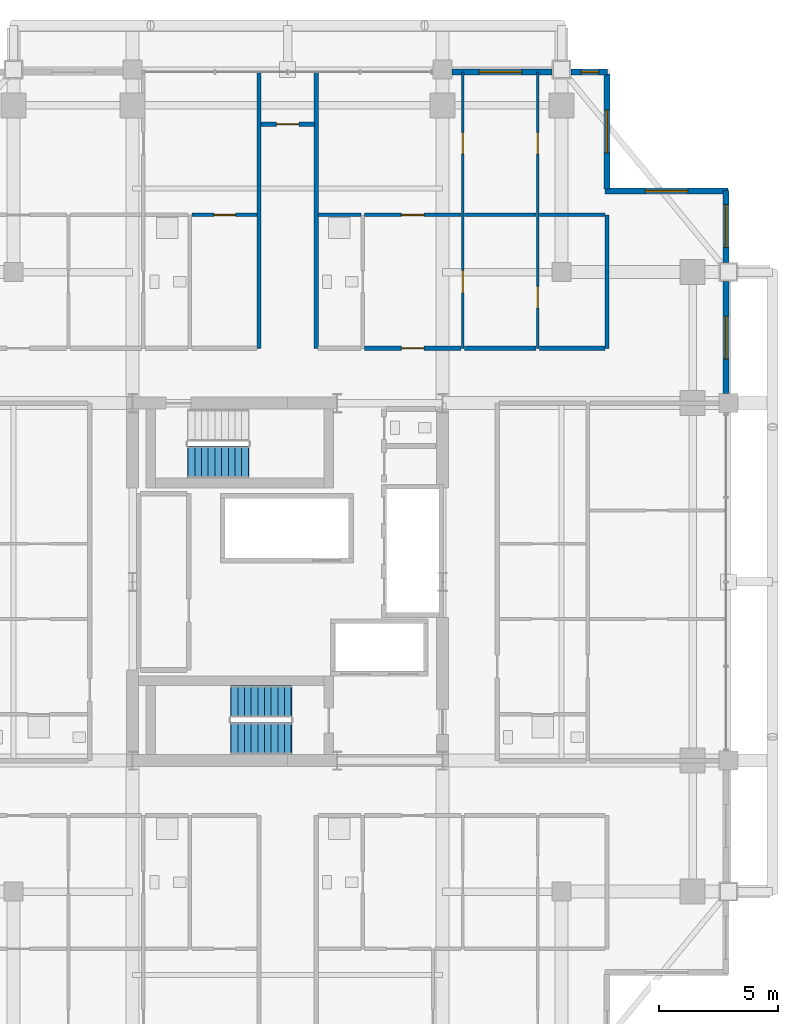
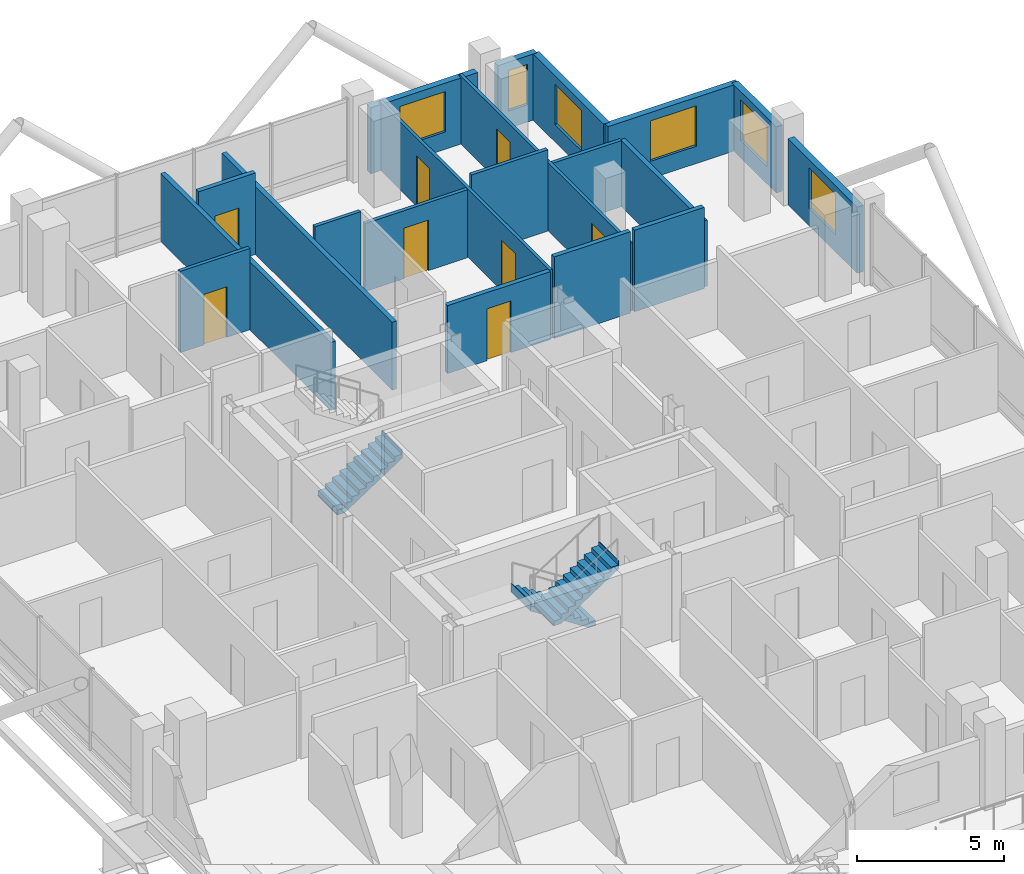
# One storey, part 20 of 23: 20 walls, 8 doors, 6 windows, 3 stair flights, 14 openings, 2 elements without a shape of their own.
"""IFC4 building model written with IfcOpenShell, lengths in metres."""

from ifc_helpers import new_model, si_unit, direction, frame, frame_2d, origin, place, context, subcontext, project, spatial, polyline, rectangle, outline, extrude, material, layer, layer_set, type_object, element, fill, aggregate, save


model = new_model("IFC4")

# Units and contexts
model_context = context("Model", 3, precision=1e-05, world=origin(), true_north=direction((0.0, 1.0)))
body_context = subcontext(model_context, "Body", "Model", "MODEL_VIEW")
ifc_project = project(units=[si_unit("LENGTHUNIT", "METRE"), si_unit("AREAUNIT", "SQUARE_METRE"), si_unit("VOLUMEUNIT", "CUBIC_METRE"), si_unit("PLANEANGLEUNIT", "RADIAN"), si_unit("MASSUNIT", "GRAM", prefix="KILO")], contexts=[model_context])

# Site, building, storey
site_placement = place(None, origin())
site = spatial("IfcSite", under=ifc_project, at=site_placement, CompositionType="ELEMENT")
building_placement = place(site_placement, origin())
building = spatial("IfcBuilding", under=site, at=building_placement, Name="Barlavira Tower and Art Museum", CompositionType="ELEMENT")
storey_placement = place(building_placement, frame((0.0, 0.0, 165.60009765625)))
storey = spatial("IfcBuildingStorey", under=building, at=storey_placement, Name="L42", CompositionType="ELEMENT", Elevation=165.60009765625)

# Wall, openings, doors
ifc_material_1 = material(Name="Gypsum acoustic stud partition", Category="gypsum")
ifc_layer_1 = layer(ifc_material_1, 0.1201171875, Name="Gypsum acoustic stud partition")
ifc_layer_set_1 = layer_set([ifc_layer_1], Name="Gypsum acoustic stud partition")
wall_type_1 = type_object("IfcWallType", Name="Apartment Internal Acoustic Partition 120", PredefinedType="PARTITIONING", material=ifc_layer_set_1)
wall_1_placement = place(storey_placement, frame((7.35009765625, 9.800048828125, 0.0), z_axis=(0.0, 0.0, 1.0), x_axis=(0.0, 1.0, 0.0)))
wall_1 = element("IfcWall", 1, at=wall_1_placement, inside=storey, type_object=wall_type_1, Name="L42 Partition Wall 22", PredefinedType="PARTITIONING", context=body_context, shape_type="SweptSolid", body=[
    extrude(rectangle(XDim=11.599853515625, YDim=0.1201171875, at=frame_2d((5.7998046875, 0.0))), origin(), (0.0, 0.0, 1.0), 2.825927734375),
])
opening_1_placement = place(wall_1_placement, frame((2.324951171875, 0.0, 0.0)))
opening_1 = element("IfcOpeningElement", 2, at=opening_1_placement, cuts=wall_1, Name="Opening D-02", PredefinedType="OPENING", context=body_context, shape_type="SweptSolid", body=[
    extrude(rectangle(XDim=0.949951171875, YDim=2.10009765625, at=frame_2d((0.47509765625, 1.050048828125))), frame((0.0, 0.070068359375, 0.0), z_axis=(0.0, -1.0, 0.0), x_axis=(1.0, 0.0, 0.0)), (0.0, 0.0, 1.0), 0.14013671875),
])
opening_2_placement = place(wall_1_placement, frame((8.14990234375, 0.0, 0.0)))
opening_2 = element("IfcOpeningElement", 3, at=opening_2_placement, cuts=wall_1, Name="Opening D-01", PredefinedType="OPENING", context=body_context, shape_type="SweptSolid", body=[
    extrude(rectangle(XDim=0.89990234375, YDim=2.10009765625, at=frame_2d((0.449951171875, 1.050048828125))), frame((0.0, 0.070068359375, 0.0), z_axis=(0.0, -1.0, 0.0), x_axis=(1.0, 0.0, 0.0)), (0.0, 0.0, 1.0), 0.14013671875),
])
ifc_material_2 = material(Name="Engineered coastal hardwood", Category="wood")
door_type_1 = type_object("IfcDoorType", Name="Internal Bedroom Timber Flush Door 900x2100", OperationType="NOTDEFINED", PredefinedType="DOOR", material=ifc_material_2)
door_1_placement = place(opening_2_placement, origin())
door_1 = element("IfcDoor", 4, at=door_1_placement, inside=storey, type_object=door_type_1, Name="Apartment NE1 Bedroom 1 Door", OperationType="SINGLE_SWING_LEFT", OverallHeight=2.10009765625, OverallWidth=0.89990234375, PredefinedType="DOOR", context=body_context, shape_type="SweptSolid", body=[
    extrude(rectangle(XDim=0.89990234375, YDim=2.10009765625, at=frame_2d((0.449951171875, 1.050048828125))), frame((0.0, 0.02490234375, 0.0), z_axis=(0.0, -1.0, 0.0), x_axis=(1.0, 0.0, 0.0)), (0.0, 0.0, 1.0), 0.050048828125),
])
fill(opening_2, door_1)
door_type_2 = type_object("IfcDoorType", Name="Living and Salon Glazed-Leaf Door 950x2100", OperationType="NOTDEFINED", PredefinedType="DOOR", material=ifc_material_2)
door_2_placement = place(opening_1_placement, origin())
door_2 = element("IfcDoor", 5, at=door_2_placement, inside=storey, type_object=door_type_2, Name="Apartment NE1 Kitchen Door", OperationType="SINGLE_SWING_RIGHT", OverallHeight=2.10009765625, OverallWidth=0.949951171875, PredefinedType="DOOR", context=body_context, shape_type="SweptSolid", body=[
    extrude(rectangle(XDim=0.949951171875, YDim=2.10009765625, at=frame_2d((0.47509765625, 1.050048828125))), frame((0.0, 0.02490234375, 0.0), z_axis=(0.0, -1.0, 0.0), x_axis=(1.0, 0.0, 0.0)), (0.0, 0.0, 1.0), 0.050048828125),
])
fill(opening_1, door_2)

wall_2_placement = place(storey_placement, frame((10.5, 9.800048828125, 0.0), z_axis=(0.0, 0.0, 1.0), x_axis=(0.0, 1.0, 0.0)))
wall_2 = element("IfcWall", 6, at=wall_2_placement, inside=storey, type_object=wall_type_1, Name="L42 Partition Wall 25", PredefinedType="PARTITIONING", context=body_context, shape_type="SweptSolid", body=[
    extrude(rectangle(XDim=11.599853515625, YDim=0.1201171875, at=frame_2d((5.7998046875, 0.0))), origin(), (0.0, 0.0, 1.0), 2.825927734375),
])
opening_3_placement = place(wall_2_placement, frame((1.694091796875, 0.0, 0.0)))
opening_3 = element("IfcOpeningElement", 7, at=opening_3_placement, cuts=wall_2, Name="Opening D-01", PredefinedType="OPENING", context=body_context, shape_type="SweptSolid", body=[
    extrude(rectangle(XDim=0.89990234375, YDim=2.10009765625, at=frame_2d((0.449951171875, 1.050048828125))), frame((0.0, 0.070068359375, 0.0), z_axis=(0.0, -1.0, 0.0), x_axis=(1.0, 0.0, 0.0)), (0.0, 0.0, 1.0), 0.14013671875),
])
opening_4_placement = place(wall_2_placement, frame((8.14990234375, 0.0, 0.0)))
opening_4 = element("IfcOpeningElement", 8, at=opening_4_placement, cuts=wall_2, Name="Opening D-01", PredefinedType="OPENING", context=body_context, shape_type="SweptSolid", body=[
    extrude(rectangle(XDim=0.89990234375, YDim=2.10009765625, at=frame_2d((0.449951171875, 1.050048828125))), frame((0.0, 0.070068359375, 0.0), z_axis=(0.0, -1.0, 0.0), x_axis=(1.0, 0.0, 0.0)), (0.0, 0.0, 1.0), 0.14013671875),
])
door_3_placement = place(opening_3_placement, origin())
door_3 = element("IfcDoor", 9, at=door_3_placement, inside=storey, type_object=door_type_1, Name="Apartment NE1 Walk-In Dressing Room Door", OperationType="SINGLE_SWING_LEFT", OverallHeight=2.10009765625, OverallWidth=0.89990234375, PredefinedType="DOOR", context=body_context, shape_type="SweptSolid", body=[
    extrude(rectangle(XDim=0.89990234375, YDim=2.10009765625, at=frame_2d((0.449951171875, 1.050048828125))), frame((0.0, 0.02490234375, 0.0), z_axis=(0.0, -1.0, 0.0), x_axis=(1.0, 0.0, 0.0)), (0.0, 0.0, 1.0), 0.050048828125),
])
fill(opening_3, door_3)
door_4_placement = place(opening_4_placement, origin())
door_4 = element("IfcDoor", 10, at=door_4_placement, inside=storey, type_object=door_type_1, Name="Apartment NE1 Sunroom Lounge 2 Door", OperationType="SINGLE_SWING_RIGHT", OverallHeight=2.10009765625, OverallWidth=0.89990234375, PredefinedType="DOOR", context=body_context, shape_type="SweptSolid", body=[
    extrude(rectangle(XDim=0.89990234375, YDim=2.10009765625, at=frame_2d((0.449951171875, 1.050048828125))), frame((0.0, 0.02490234375, 0.0), z_axis=(0.0, -1.0, 0.0), x_axis=(1.0, 0.0, 0.0)), (0.0, 0.0, 1.0), 0.050048828125),
])
fill(opening_4, door_4)

# Walls
ifc_layer_2 = layer(ifc_material_1, 0.179931640625, Name="Gypsum acoustic stud partition")
ifc_layer_set_2 = layer_set([ifc_layer_2], Name="Gypsum acoustic stud partition")
wall_type_2 = type_object("IfcWallType", Name="Inter-Tenancy Party Partition Wall 180", PredefinedType="PARTITIONING", material=ifc_layer_set_2)
for number, where, z_axis, x_axis, name in (
    (11, (-1.199951171875, 9.800048828125, 0.0), (0.0, 0.0, 1.0), (0.0, 1.0, 0.0), "L42 Partition Wall 14"),
    (12, (1.199951171875, 9.800048828125, 0.0), (0.0, 0.0, 1.0), (0.0, 1.0, 0.0), "L42 Partition Wall 16"),
):
    element("IfcWall", number, at=place(storey_placement, frame(where, z_axis=z_axis, x_axis=x_axis)), inside=storey, type_object=wall_type_2, Name=name, PredefinedType="PARTITIONING", context=body_context, shape_type="SweptSolid", body=[
        extrude(rectangle(XDim=11.599853515625, YDim=0.179931640625, at=frame_2d((5.7998046875, 0.0))), origin(), (0.0, 0.0, 1.0), 2.825927734375),
    ])
wall_3_placement = place(storey_placement, frame((13.39990234375, 9.800048828125, 0.0), z_axis=(0.0, 0.0, 1.0), x_axis=(0.0, 1.0, 0.0)))
element("IfcWall", 13, at=wall_3_placement, inside=storey, type_object=wall_type_2, Name="L42 Partition Wall 28", PredefinedType="PARTITIONING", context=body_context, shape_type="SweptSolid", body=[
    extrude(rectangle(XDim=5.599853515625, YDim=0.179931640625, at=frame_2d((2.7998046875, 0.0))), origin(), (0.0, 0.0, 1.0), 2.747802734375),
])

# Wall, opening, door
wall_4_placement = place(storey_placement, frame((3.22998046875, 9.800048828125, 0.0), z_axis=(0.0, 0.0, 1.0), x_axis=(1.0, 0.0, 0.0)))
wall_4 = element("IfcWall", 14, at=wall_4_placement, inside=storey, type_object=wall_type_2, Name="L42 Partition Wall 72", PredefinedType="PARTITIONING", context=body_context, shape_type="SweptSolid", body=[
    extrude(rectangle(XDim=4.0400390625, YDim=0.179931640625, at=frame_2d((2.02001953125, 0.0))), origin(), (0.0, 0.0, 1.0), 2.825927734375),
])
opening_5_placement = place(wall_4_placement, frame((1.544921875, 0.0, 0.0)))
opening_5 = element("IfcOpeningElement", 15, at=opening_5_placement, cuts=wall_4, Name="Opening FD-60", PredefinedType="OPENING", context=body_context, shape_type="SweptSolid", body=[
    extrude(rectangle(XDim=0.949951171875, YDim=2.14990234375, at=frame_2d((0.47509765625, 1.074951171875))), frame((0.0, 0.10009765625, 0.0), z_axis=(0.0, -1.0, 0.0), x_axis=(1.0, 0.0, 0.0)), (0.0, 0.0, 1.0), 0.199951171875),
])
ifc_material_3 = material(Name="Brushed stainless steel", Category="steel")
door_type_3 = type_object("IfcDoorType", Name="Apartment Entrance and Riser Fire Door 950x2150 FD60S", OperationType="NOTDEFINED", PredefinedType="DOOR", material=ifc_material_3)
door_5_placement = place(opening_5_placement, origin())
door_5 = element("IfcDoor", 16, at=door_5_placement, inside=storey, type_object=door_type_3, Name="Apartment Entrance Hall NE1 Door", OperationType="SINGLE_SWING_LEFT", OverallHeight=2.14990234375, OverallWidth=0.949951171875, PredefinedType="DOOR", context=body_context, shape_type="SweptSolid", body=[
    extrude(rectangle(XDim=0.949951171875, YDim=2.14990234375, at=frame_2d((0.47509765625, 1.074951171875))), frame((0.0, 0.02490234375, 0.0), z_axis=(0.0, -1.0, 0.0), x_axis=(1.0, 0.0, 0.0)), (0.0, 0.0, 1.0), 0.050048828125),
])
fill(opening_5, door_5)

# Walls
wall_5_placement = place(storey_placement, frame((7.429931640625, 9.800048828125, 0.0), z_axis=(0.0, 0.0, 1.0), x_axis=(1.0, 0.0, 0.0)))
element("IfcWall", 17, at=wall_5_placement, inside=storey, type_object=wall_type_2, Name="L42 Partition Wall 73", PredefinedType="PARTITIONING", context=body_context, shape_type="SweptSolid", body=[
    extrude(rectangle(XDim=2.989990234375, YDim=0.179931640625, at=frame_2d((1.4951171875, 0.0))), origin(), (0.0, 0.0, 1.0), 3.3798828125),
])
wall_6_placement = place(storey_placement, frame((10.580078125, 9.800048828125, 0.0), z_axis=(0.0, 0.0, 1.0), x_axis=(1.0, 0.0, 0.0)))
element("IfcWall", 18, at=wall_6_placement, inside=storey, type_object=wall_type_2, Name="L42 Partition Wall 74", PredefinedType="PARTITIONING", context=body_context, shape_type="SweptSolid", body=[
    extrude(rectangle(XDim=2.739990234375, YDim=0.179931640625, at=frame_2d((1.3701171875, 0.0))), origin(), (0.0, 0.0, 1.0), 3.3798828125),
])

# Wall, opening, door
wall_7_placement = place(storey_placement, frame((-1.1201171875, 19.199951171875, 0.0), z_axis=(0.0, 0.0, 1.0), x_axis=(1.0, 0.0, 0.0)))
wall_7 = element("IfcWall", 19, at=wall_7_placement, inside=storey, type_object=wall_type_2, Name="L42 Partition Wall 83", PredefinedType="PARTITIONING", context=body_context, shape_type="SweptSolid", body=[
    extrude(rectangle(XDim=2.240234375, YDim=0.179931640625, at=frame_2d((1.1201171875, 0.0))), origin(), (0.0, 0.0, 1.0), 3.3798828125),
])
opening_6_placement = place(wall_7_placement, frame((0.64501953125, 0.0, 0.0)))
opening_6 = element("IfcOpeningElement", 20, at=opening_6_placement, cuts=wall_7, Name="Opening FD-60", PredefinedType="OPENING", context=body_context, shape_type="SweptSolid", body=[
    extrude(rectangle(XDim=0.949951171875, YDim=2.14990234375, at=frame_2d((0.47509765625, 1.074951171875))), frame((0.0, 0.10009765625, 0.0), z_axis=(0.0, -1.0, 0.0), x_axis=(1.0, 0.0, 0.0)), (0.0, 0.0, 1.0), 0.199951171875),
])
door_6_placement = place(opening_6_placement, origin())
door_6 = element("IfcDoor", 21, at=door_6_placement, inside=storey, type_object=door_type_3, Name="L42 North Ocean Alcove Door", OperationType="SINGLE_SWING_LEFT", OverallHeight=2.14990234375, OverallWidth=0.949951171875, PredefinedType="DOOR", context=body_context, shape_type="SweptSolid", body=[
    extrude(rectangle(XDim=0.949951171875, YDim=2.14990234375, at=frame_2d((0.47509765625, 1.074951171875))), frame((0.0, 0.02490234375, 0.0), z_axis=(0.0, -1.0, 0.0), x_axis=(1.0, 0.0, 0.0)), (0.0, 0.0, 1.0), 0.050048828125),
])
fill(opening_6, door_6)

ifc_layer_3 = layer(ifc_material_1, 0.139892578125, Name="Gypsum acoustic stud partition")
ifc_layer_set_3 = layer_set([ifc_layer_3], Name="Gypsum acoustic stud partition")
wall_type_3 = type_object("IfcWallType", Name="Moisture-Resistant Bathroom Partition 140", PredefinedType="PARTITIONING", material=ifc_layer_set_3)
wall_8_placement = place(storey_placement, frame((-4.02001953125, 15.39990234375, 0.0), z_axis=(0.0, 0.0, 1.0), x_axis=(1.0, 0.0, 0.0)))
wall_8 = element("IfcWall", 22, at=wall_8_placement, inside=storey, type_object=wall_type_3, Name="L42 Partition Wall 78", PredefinedType="PARTITIONING", context=body_context, shape_type="SweptSolid", body=[
    extrude(rectangle(XDim=2.739990234375, YDim=0.139892578125, at=frame_2d((1.3701171875, 0.0))), origin(), (0.0, 0.0, 1.0), 3.3798828125),
])
opening_7_placement = place(wall_8_placement, frame((0.929931640625, 0.0, 0.0)))
opening_7 = element("IfcOpeningElement", 23, at=opening_7_placement, cuts=wall_8, Name="Opening D-01", PredefinedType="OPENING", context=body_context, shape_type="SweptSolid", body=[
    extrude(rectangle(XDim=0.89990234375, YDim=2.10009765625, at=frame_2d((0.449951171875, 1.050048828125))), frame((0.0, 0.080078125, 0.0), z_axis=(0.0, -1.0, 0.0), x_axis=(1.0, 0.0, 0.0)), (0.0, 0.0, 1.0), 0.159912109375),
])
door_7_placement = place(opening_7_placement, origin())
door_7 = element("IfcDoor", 24, at=door_7_placement, inside=storey, type_object=door_type_1, Name="Apartment NW1 Walk-In Dressing Room Door", OperationType="SINGLE_SWING_LEFT", OverallHeight=2.10009765625, OverallWidth=0.89990234375, PredefinedType="DOOR", context=body_context, shape_type="SweptSolid", body=[
    extrude(rectangle(XDim=0.89990234375, YDim=2.10009765625, at=frame_2d((0.449951171875, 1.050048828125))), frame((0.0, 0.02490234375, 0.0), z_axis=(0.0, -1.0, 0.0), x_axis=(1.0, 0.0, 0.0)), (0.0, 0.0, 1.0), 0.050048828125),
])
fill(opening_7, door_7)

# Wall
wall_9_placement = place(storey_placement, frame((1.280029296875, 15.39990234375, 0.0), z_axis=(0.0, 0.0, 1.0), x_axis=(1.0, 0.0, 0.0)))
element("IfcWall", 25, at=wall_9_placement, inside=storey, type_object=wall_type_3, Name="L42 Partition Wall 79", PredefinedType="PARTITIONING", context=body_context, shape_type="SweptSolid", body=[
    extrude(rectangle(XDim=1.7900390625, YDim=0.139892578125, at=frame_2d((0.89501953125, 0.0))), origin(), (0.0, 0.0, 1.0), 3.3798828125),
])

# Wall, opening, door
wall_10_placement = place(storey_placement, frame((3.22998046875, 15.39990234375, 0.0), z_axis=(0.0, 0.0, 1.0), x_axis=(1.0, 0.0, 0.0)))
wall_10 = element("IfcWall", 26, at=wall_10_placement, inside=storey, type_object=wall_type_3, Name="L42 Partition Wall 80", PredefinedType="PARTITIONING", context=body_context, shape_type="SweptSolid", body=[
    extrude(rectangle(XDim=4.0400390625, YDim=0.139892578125, at=frame_2d((2.02001953125, 0.0))), origin(), (0.0, 0.0, 1.0), 2.825927734375),
])
opening_8_placement = place(wall_10_placement, frame((1.544921875, 0.0, 0.0)))
opening_8 = element("IfcOpeningElement", 27, at=opening_8_placement, cuts=wall_10, Name="Opening D-02", PredefinedType="OPENING", context=body_context, shape_type="SweptSolid", body=[
    extrude(rectangle(XDim=0.949951171875, YDim=2.10009765625, at=frame_2d((0.47509765625, 1.050048828125))), frame((0.0, 0.080078125, 0.0), z_axis=(0.0, -1.0, 0.0), x_axis=(1.0, 0.0, 0.0)), (0.0, 0.0, 1.0), 0.159912109375),
])
door_8_placement = place(opening_8_placement, origin())
door_8 = element("IfcDoor", 28, at=door_8_placement, inside=storey, type_object=door_type_2, Name="Apartment NE1 Living Lounge Door", OperationType="SINGLE_SWING_RIGHT", OverallHeight=2.10009765625, OverallWidth=0.949951171875, PredefinedType="DOOR", context=body_context, shape_type="SweptSolid", body=[
    extrude(rectangle(XDim=0.949951171875, YDim=2.10009765625, at=frame_2d((0.47509765625, 1.050048828125))), frame((0.0, 0.02490234375, 0.0), z_axis=(0.0, -1.0, 0.0), x_axis=(1.0, 0.0, 0.0)), (0.0, 0.0, 1.0), 0.050048828125),
])
fill(opening_8, door_8)

# Walls
wall_11_placement = place(storey_placement, frame((7.429931640625, 15.39990234375, 0.0), z_axis=(0.0, 0.0, 1.0), x_axis=(1.0, 0.0, 0.0)))
element("IfcWall", 29, at=wall_11_placement, inside=storey, type_object=wall_type_3, Name="L42 Partition Wall 81", PredefinedType="PARTITIONING", context=body_context, shape_type="SweptSolid", body=[
    extrude(rectangle(XDim=2.989990234375, YDim=0.139892578125, at=frame_2d((1.4951171875, 0.0))), origin(), (0.0, 0.0, 1.0), 3.3798828125),
])
wall_12_placement = place(storey_placement, frame((10.580078125, 15.39990234375, 0.0), z_axis=(0.0, 0.0, 1.0), x_axis=(1.0, 0.0, 0.0)))
element("IfcWall", 30, at=wall_12_placement, inside=storey, type_object=wall_type_3, Name="L42 Partition Wall 82", PredefinedType="PARTITIONING", context=body_context, shape_type="SweptSolid", body=[
    extrude(rectangle(XDim=2.739990234375, YDim=0.139892578125, at=frame_2d((1.3701171875, 0.0))), origin(), (0.0, 0.0, 1.0), 2.747802734375),
])

# Wall, opening, window
ifc_material_4 = material(Name="Precast concrete C40", Category="concrete")
ifc_layer_4 = layer(ifc_material_4, 0.25, Name="Precast concrete C40")
ifc_layer_set_4 = layer_set([ifc_layer_4], Name="Precast concrete C40")
wall_type_4 = type_object("IfcWallType", Name="Notched Corner Spandrel Wall 250 Precast Concrete C40", PredefinedType="SOLIDWALL", material=ifc_layer_set_4)
wall_13_placement = place(storey_placement, frame((13.425048828125, 21.39990234375, 0.0), z_axis=(0.0, 0.0, 1.0), x_axis=(-1.0, 0.0, 0.0)))
wall_13 = element("IfcWall", 31, at=wall_13_placement, inside=storey, type_object=wall_type_4, Name="L42 Coastal Facade Pier Wall CW3-L42-N-1", PredefinedType="SOLIDWALL", context=body_context, shape_type="SweptSolid", body=[
    extrude(rectangle(XDim=1.530029296875, YDim=0.25, at=frame_2d((0.76513671875, 0.0))), origin(), (0.0, 0.0, 1.0), 2.747802734375),
])
opening_9_placement = place(wall_13_placement, frame((0.363037109375, 0.0, 0.719970703125)))
opening_9 = element("IfcOpeningElement", 32, at=opening_9_placement, cuts=wall_13, Name="Opening WN-06", PredefinedType="OPENING", context=body_context, shape_type="SweptSolid", body=[
    extrude(rectangle(XDim=0.760009765625, YDim=1.679931640625, at=frame_2d((0.3798828125, 0.83984375))), frame((0.0, 0.135009765625, 0.0), z_axis=(0.0, -1.0, 0.0), x_axis=(1.0, 0.0, 0.0)), (0.0, 0.0, 1.0), 0.27001953125),
])
ifc_material_5 = material(Name="Low-iron coastal laminated glass", Category="glass")
window_type_1 = type_object("IfcWindowType", Name="Recessed Narrow Pier Window 760x1680", PartitioningType="SINGLE_PANEL", PredefinedType="WINDOW", material=ifc_material_5)
window_1_placement = place(opening_9_placement, origin())
window_1 = element("IfcWindow", 33, at=window_1_placement, inside=storey, type_object=window_type_1, Name="L42 Punched Facade Window EWP-CW3-L42-N-1-1", OverallHeight=1.679931640625, OverallWidth=0.760009765625, PartitioningType="SINGLE_PANEL", PredefinedType="WINDOW", context=body_context, shape_type="SweptSolid", body=[
    extrude(rectangle(XDim=0.760009765625, YDim=1.679931640625, at=frame_2d((0.3798828125, 0.83984375))), frame((0.0, 0.030029296875, 0.0), z_axis=(0.0, -1.0, 0.0), x_axis=(1.0, 0.0, 0.0)), (0.0, 0.0, 1.0), 0.06005859375),
])
fill(opening_9, window_1)

wall_14_placement = place(storey_placement, frame((11.10498046875, 21.39990234375, 0.0), z_axis=(0.0, 0.0, 1.0), x_axis=(-1.0, 0.0, 0.0)))
wall_14 = element("IfcWall", 34, at=wall_14_placement, inside=storey, type_object=wall_type_4, Name="L42 Coastal Facade Pier Wall CW3-L42-N-2", PredefinedType="SOLIDWALL", context=body_context, shape_type="SweptSolid", body=[
    extrude(rectangle(XDim=4.2099609375, YDim=0.25, at=frame_2d((2.10498046875, 0.0))), origin(), (0.0, 0.0, 1.0), 2.747802734375),
])
opening_10_placement = place(wall_14_placement, frame((1.27001953125, 0.0, 0.719970703125)))
opening_10 = element("IfcOpeningElement", 35, at=opening_10_placement, cuts=wall_14, Name="Opening WN-01", PredefinedType="OPENING", context=body_context, shape_type="SweptSolid", body=[
    extrude(rectangle(XDim=1.800048828125, YDim=1.679931640625, at=frame_2d((0.89990234375, 0.83984375))), frame((0.0, 0.135009765625, 0.0), z_axis=(0.0, -1.0, 0.0), x_axis=(1.0, 0.0, 0.0)), (0.0, 0.0, 1.0), 0.27001953125),
])
window_type_2 = type_object("IfcWindowType", Name="Recessed Notch Corner Punch Window 1800x1680", PartitioningType="SINGLE_PANEL", PredefinedType="WINDOW", material=ifc_material_5)
window_2_placement = place(opening_10_placement, origin())
window_2 = element("IfcWindow", 36, at=window_2_placement, inside=storey, type_object=window_type_2, Name="L42 Punched Facade Window EWP-CW3-L42-N-2-1", OverallHeight=1.679931640625, OverallWidth=1.800048828125, PartitioningType="SINGLE_PANEL", PredefinedType="WINDOW", context=body_context, shape_type="SweptSolid", body=[
    extrude(rectangle(XDim=1.800048828125, YDim=1.679931640625, at=frame_2d((0.89990234375, 0.83984375))), frame((0.0, 0.030029296875, 0.0), z_axis=(0.0, -1.0, 0.0), x_axis=(1.0, 0.0, 0.0)), (0.0, 0.0, 1.0), 0.06005859375),
])
fill(opening_10, window_2)

wall_15_placement = place(storey_placement, frame((18.39990234375, 7.89501953125, 0.0), z_axis=(0.0, 0.0, 1.0), x_axis=(0.0, 1.0, 0.0)))
wall_15 = element("IfcWall", 37, at=wall_15_placement, inside=storey, type_object=wall_type_4, Name="L42 Coastal Facade Pier Wall CW3-L42-E-4", PredefinedType="SOLIDWALL", context=body_context, shape_type="SweptSolid", body=[
    extrude(rectangle(XDim=4.7099609375, YDim=0.25, at=frame_2d((2.35498046875, 0.0))), origin(), (0.0, 0.0, 1.0), 2.747802734375),
])
opening_11_placement = place(wall_15_placement, frame((1.455078125, 0.0, 0.719970703125)))
opening_11 = element("IfcOpeningElement", 38, at=opening_11_placement, cuts=wall_15, Name="Opening WN-01", PredefinedType="OPENING", context=body_context, shape_type="SweptSolid", body=[
    extrude(rectangle(XDim=1.800048828125, YDim=1.679931640625, at=frame_2d((0.89990234375, 0.83984375))), frame((0.0, 0.135009765625, 0.0), z_axis=(0.0, -1.0, 0.0), x_axis=(1.0, 0.0, 0.0)), (0.0, 0.0, 1.0), 0.27001953125),
])
window_3_placement = place(opening_11_placement, origin())
window_3 = element("IfcWindow", 39, at=window_3_placement, inside=storey, type_object=window_type_2, Name="L42 Punched Facade Window EWP-CW3-L42-E-4-1", OverallHeight=1.679931640625, OverallWidth=1.800048828125, PartitioningType="SINGLE_PANEL", PredefinedType="WINDOW", context=body_context, shape_type="SweptSolid", body=[
    extrude(rectangle(XDim=1.800048828125, YDim=1.679931640625, at=frame_2d((0.89990234375, 0.83984375))), frame((0.0, 0.030029296875, 0.0), z_axis=(0.0, -1.0, 0.0), x_axis=(1.0, 0.0, 0.0)), (0.0, 0.0, 1.0), 0.06005859375),
])
fill(opening_11, window_3)

wall_16_placement = place(storey_placement, frame((18.39990234375, 13.39501953125, 0.0), z_axis=(0.0, 0.0, 1.0), x_axis=(0.0, 1.0, 0.0)))
wall_16 = element("IfcWall", 40, at=wall_16_placement, inside=storey, type_object=wall_type_4, Name="L42 Coastal Facade Pier Wall CW3-L42-E-5", PredefinedType="SOLIDWALL", context=body_context, shape_type="SweptSolid", body=[
    extrude(rectangle(XDim=3.030029296875, YDim=0.25, at=frame_2d((1.51513671875, 0.0))), origin(), (0.0, 0.0, 1.0), 2.747802734375),
])
opening_12_placement = place(wall_16_placement, frame((0.637939453125, 0.0, 0.719970703125)))
opening_12 = element("IfcOpeningElement", 41, at=opening_12_placement, cuts=wall_16, Name="Opening WN-01", PredefinedType="OPENING", context=body_context, shape_type="SweptSolid", body=[
    extrude(rectangle(XDim=1.800048828125, YDim=1.679931640625, at=frame_2d((0.89990234375, 0.83984375))), frame((0.0, 0.135009765625, 0.0), z_axis=(0.0, -1.0, 0.0), x_axis=(1.0, 0.0, 0.0)), (0.0, 0.0, 1.0), 0.27001953125),
])
window_4_placement = place(opening_12_placement, origin())
window_4 = element("IfcWindow", 42, at=window_4_placement, inside=storey, type_object=window_type_2, Name="L42 Punched Facade Window EWP-CW3-L42-E-5-1", OverallHeight=1.679931640625, OverallWidth=1.800048828125, PartitioningType="SINGLE_PANEL", PredefinedType="WINDOW", context=body_context, shape_type="SweptSolid", body=[
    extrude(rectangle(XDim=1.800048828125, YDim=1.679931640625, at=frame_2d((0.89990234375, 0.83984375))), frame((0.0, 0.030029296875, 0.0), z_axis=(0.0, -1.0, 0.0), x_axis=(1.0, 0.0, 0.0)), (0.0, 0.0, 1.0), 0.06005859375),
])
fill(opening_12, window_4)

wall_17_placement = place(storey_placement, frame((18.47998046875, 16.39990234375, 0.0), z_axis=(0.0, 0.0, 1.0), x_axis=(-1.0, 0.0, 0.0)))
wall_17 = element("IfcWall", 43, at=wall_17_placement, inside=storey, type_object=wall_type_4, Name="L42 Notch Corner Wall NE1", PredefinedType="SOLIDWALL", context=body_context, shape_type="SweptSolid", body=[
    extrude(rectangle(XDim=5.159912109375, YDim=0.25, at=frame_2d((2.580078125, 0.0))), origin(), (0.0, 0.0, 1.0), 2.747802734375),
])
opening_13_placement = place(wall_17_placement, frame((1.679931640625, 0.0, 0.719970703125)))
opening_13 = element("IfcOpeningElement", 44, at=opening_13_placement, cuts=wall_17, Name="Opening WN-01", PredefinedType="OPENING", context=body_context, shape_type="SweptSolid", body=[
    extrude(rectangle(XDim=1.800048828125, YDim=1.679931640625, at=frame_2d((0.89990234375, 0.83984375))), frame((0.0, 0.135009765625, 0.0), z_axis=(0.0, -1.0, 0.0), x_axis=(1.0, 0.0, 0.0)), (0.0, 0.0, 1.0), 0.27001953125),
])
window_5_placement = place(opening_13_placement, origin())
window_5 = element("IfcWindow", 45, at=window_5_placement, inside=storey, type_object=window_type_2, Name="L42 Punched Facade Window EW-NTC-L42-NE1-1", OverallHeight=1.679931640625, OverallWidth=1.800048828125, PartitioningType="SINGLE_PANEL", PredefinedType="WINDOW", context=body_context, shape_type="SweptSolid", body=[
    extrude(rectangle(XDim=1.800048828125, YDim=1.679931640625, at=frame_2d((0.89990234375, 0.83984375))), frame((0.0, 0.030029296875, 0.0), z_axis=(0.0, -1.0, 0.0), x_axis=(1.0, 0.0, 0.0)), (0.0, 0.0, 1.0), 0.06005859375),
])
fill(opening_13, window_5)

wall_18_placement = place(storey_placement, frame((13.39990234375, 16.47998046875, 0.0), z_axis=(0.0, 0.0, 1.0), x_axis=(0.0, 1.0, 0.0)))
wall_18 = element("IfcWall", 46, at=wall_18_placement, inside=storey, type_object=wall_type_4, Name="L42 Notch Corner Wall NE2", PredefinedType="SOLIDWALL", context=body_context, shape_type="SweptSolid", body=[
    extrude(rectangle(XDim=4.840087890625, YDim=0.25, at=frame_2d((2.419921875, 0.0))), origin(), (0.0, 0.0, 1.0), 2.747802734375),
])
opening_14_placement = place(wall_18_placement, frame((1.52001953125, 0.0, 0.719970703125)))
opening_14 = element("IfcOpeningElement", 47, at=opening_14_placement, cuts=wall_18, Name="Opening WN-01", PredefinedType="OPENING", context=body_context, shape_type="SweptSolid", body=[
    extrude(rectangle(XDim=1.800048828125, YDim=1.679931640625, at=frame_2d((0.89990234375, 0.83984375))), frame((0.0, 0.135009765625, 0.0), z_axis=(0.0, -1.0, 0.0), x_axis=(1.0, 0.0, 0.0)), (0.0, 0.0, 1.0), 0.27001953125),
])
window_6_placement = place(opening_14_placement, origin())
window_6 = element("IfcWindow", 48, at=window_6_placement, inside=storey, type_object=window_type_2, Name="L42 Punched Facade Window EW-NTC-L42-NE2-1", OverallHeight=1.679931640625, OverallWidth=1.800048828125, PartitioningType="SINGLE_PANEL", PredefinedType="WINDOW", context=body_context, shape_type="SweptSolid", body=[
    extrude(rectangle(XDim=1.800048828125, YDim=1.679931640625, at=frame_2d((0.89990234375, 0.83984375))), frame((0.0, 0.030029296875, 0.0), z_axis=(0.0, -1.0, 0.0), x_axis=(1.0, 0.0, 0.0)), (0.0, 0.0, 1.0), 0.06005859375),
])
fill(opening_14, window_6)

# Stair, stair flight
ifc_material_6 = material(Name="Concrete C45", Category="concrete")
stair_type_1 = type_object("IfcStairType", Name="Tower North Dog-Leg Exit Stair Assembly Concrete C45", PredefinedType="TWO_QUARTER_TURN_STAIR", material=ifc_material_6)
stair_1_placement = place(storey_placement, origin())
stair_1 = element("IfcStair", 49, at=stair_1_placement, inside=storey, type_object=stair_type_1, Name="L42 Tower North Exit Stair ST-T2", PredefinedType="TWO_QUARTER_TURN_STAIR")
ifc_material_7 = material(Name="Precast concrete C45", Category="concrete")
stair_flight_type_1 = type_object("IfcStairFlightType", Name="Tower North Dog-Leg Exit Stair Precast Flight 1350 Concrete C45", PredefinedType="STRAIGHT", material=ifc_material_7)
stair_flight_1_placement = place(storey_placement, frame((-4.169921875, 5.02490234375, 0.0), z_axis=(0.0, 0.0, 1.0), x_axis=(1.0, 0.0, 0.0)))
stair_flight_1 = element("IfcStairFlight", 50, at=stair_flight_1_placement, type_object=stair_flight_type_1, Name="ST-T2 flight 1", NumberOfRisers=10, NumberOfTreads=9, PredefinedType="STRAIGHT", RiserHeight=0.18, TreadLength=0.28, context=body_context, shape_type="SweptSolid", body=[
    extrude(outline(polyline([(-0.02490234375, 0.0), (0.0, 0.0), (0.0, 0.179931640625), (0.280029296875, 0.179931640625), (0.280029296875, 0.360107421875), (0.56005859375, 0.360107421875), (0.56005859375, 0.5400390625), (0.840087890625, 0.5400390625), (0.840087890625, 0.719970703125), (1.1201171875, 0.719970703125), (1.1201171875, 0.89990234375), (1.39990234375, 0.89990234375), (1.39990234375, 1.080078125), (1.679931640625, 1.080078125), (1.679931640625, 1.260009765625), (1.9599609375, 1.260009765625), (1.9599609375, 1.43994140625), (2.239990234375, 1.43994140625), (2.239990234375, 1.6201171875), (2.52001953125, 1.6201171875), (2.52001953125, 1.800048828125), (2.544921875, 1.800048828125), (2.544921875, 1.44189453125), (2.52001953125, 1.44189453125), (0.277099609375, -0.02490234375), (-0.02490234375, -0.02490234375), (-0.02490234375, 0.0)])), frame((0.0, 0.675048828125, 0.0), z_axis=(0.0, -1.0, 0.0), x_axis=(1.0, 0.0, 0.0)), (0.0, 0.0, 1.0), 1.35009765625),
])
aggregate(stair_1, [stair_flight_1])

# Stair, stair flights
stair_type_2 = type_object("IfcStairType", Name="Tower South Dog-Leg Exit Stair Assembly Concrete C45", PredefinedType="TWO_QUARTER_TURN_STAIR", material=ifc_material_6)
stair_2_placement = place(storey_placement, origin())
stair_2 = element("IfcStair", 51, at=stair_2_placement, inside=storey, type_object=stair_type_2, Name="L42 Tower South Exit Stair ST-T1", PredefinedType="TWO_QUARTER_TURN_STAIR")
stair_flight_type_2 = type_object("IfcStairFlightType", Name="Tower South Dog-Leg Exit Stair Precast Flight 1350 Concrete C45", PredefinedType="STRAIGHT", material=ifc_material_7)
stair_flight_2_placement = place(storey_placement, frame((0.14990234375, -5.02490234375, 0.0), z_axis=(0.0, 0.0, 1.0), x_axis=(-1.0, 0.0, 0.0)))
stair_flight_2 = element("IfcStairFlight", 52, at=stair_flight_2_placement, type_object=stair_flight_type_2, Name="ST-T1 flight 1", NumberOfRisers=10, NumberOfTreads=9, PredefinedType="STRAIGHT", RiserHeight=0.18, TreadLength=0.28, context=body_context, shape_type="SweptSolid", body=[
    extrude(outline(polyline([(-0.02490234375, 0.0), (0.0, 0.0), (0.0, 0.179931640625), (0.280029296875, 0.179931640625), (0.280029296875, 0.360107421875), (0.56005859375, 0.360107421875), (0.56005859375, 0.5400390625), (0.840087890625, 0.5400390625), (0.840087890625, 0.719970703125), (1.1201171875, 0.719970703125), (1.1201171875, 0.89990234375), (1.39990234375, 0.89990234375), (1.39990234375, 1.080078125), (1.679931640625, 1.080078125), (1.679931640625, 1.260009765625), (1.9599609375, 1.260009765625), (1.9599609375, 1.43994140625), (2.239990234375, 1.43994140625), (2.239990234375, 1.6201171875), (2.52001953125, 1.6201171875), (2.52001953125, 1.800048828125), (2.544921875, 1.800048828125), (2.544921875, 1.44189453125), (2.52001953125, 1.44189453125), (0.277099609375, -0.02490234375), (-0.02490234375, -0.02490234375), (-0.02490234375, 0.0)])), frame((0.0, 0.675048828125, 0.0), z_axis=(0.0, -1.0, 0.0), x_axis=(1.0, 0.0, 0.0)), (0.0, 0.0, 1.0), 1.35009765625),
])
stair_flight_3_placement = place(storey_placement, frame((-2.3701171875, -6.574951171875, 1.7998046875), z_axis=(0.0, 0.0, 1.0), x_axis=(1.0, 0.0, 0.0)))
stair_flight_3 = element("IfcStairFlight", 53, at=stair_flight_3_placement, type_object=stair_flight_type_2, Name="ST-T1 flight 2", NumberOfRisers=10, NumberOfTreads=9, PredefinedType="STRAIGHT", RiserHeight=0.18, TreadLength=0.28, context=body_context, shape_type="SweptSolid", body=[
    extrude(outline(polyline([(-0.02490234375, 0.0), (0.0, 0.0), (0.0, 0.179931640625), (0.280029296875, 0.179931640625), (0.280029296875, 0.360107421875), (0.56005859375, 0.360107421875), (0.56005859375, 0.5400390625), (0.840087890625, 0.5400390625), (0.840087890625, 0.719970703125), (1.1201171875, 0.719970703125), (1.1201171875, 0.89990234375), (1.39990234375, 0.89990234375), (1.39990234375, 1.080078125), (1.679931640625, 1.080078125), (1.679931640625, 1.260009765625), (1.9599609375, 1.260009765625), (1.9599609375, 1.43994140625), (2.239990234375, 1.43994140625), (2.239990234375, 1.6201171875), (2.52001953125, 1.6201171875), (2.52001953125, 1.800048828125), (2.544921875, 1.800048828125), (2.544921875, 1.44189453125), (2.52001953125, 1.44189453125), (0.277099609375, -0.02490234375), (-0.02490234375, -0.02490234375), (-0.02490234375, 0.0)])), frame((0.0, 0.675048828125, 0.0), z_axis=(0.0, -1.0, 0.0), x_axis=(1.0, 0.0, 0.0)), (0.0, 0.0, 1.0), 1.35009765625),
])
aggregate(stair_2, [stair_flight_2, stair_flight_3])

save(model, "model.ifc")
